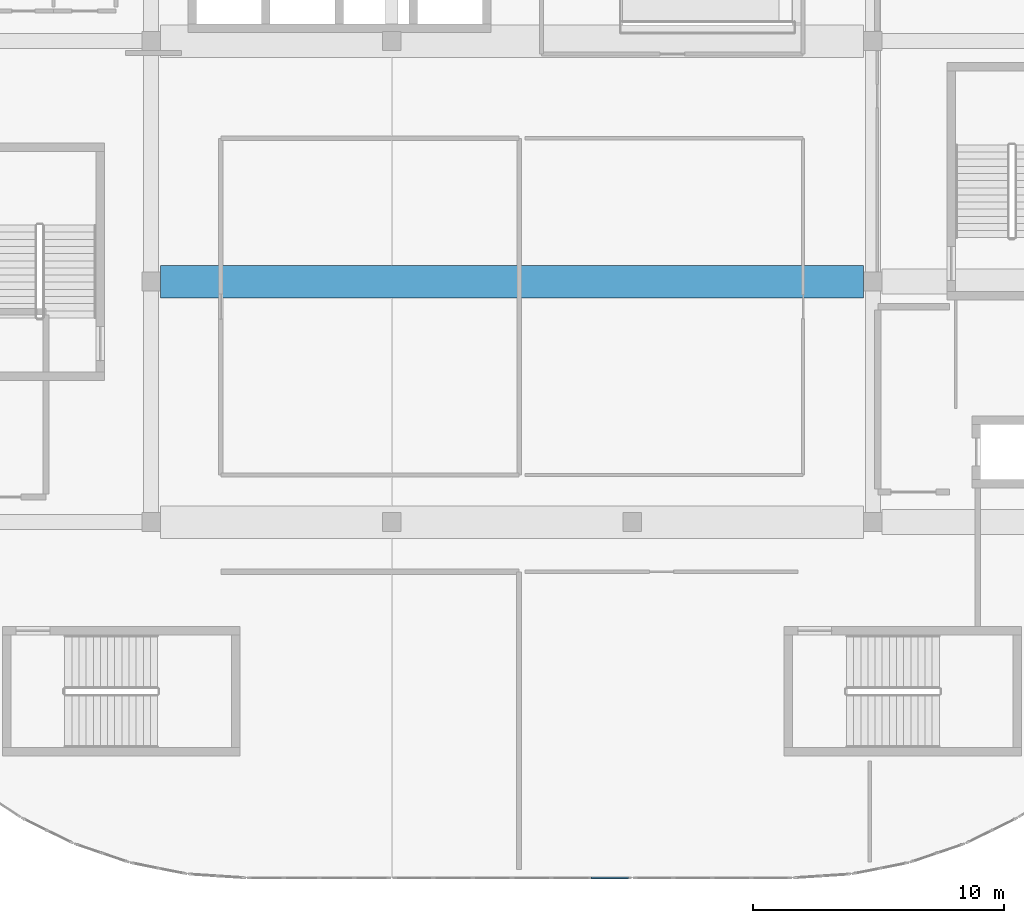
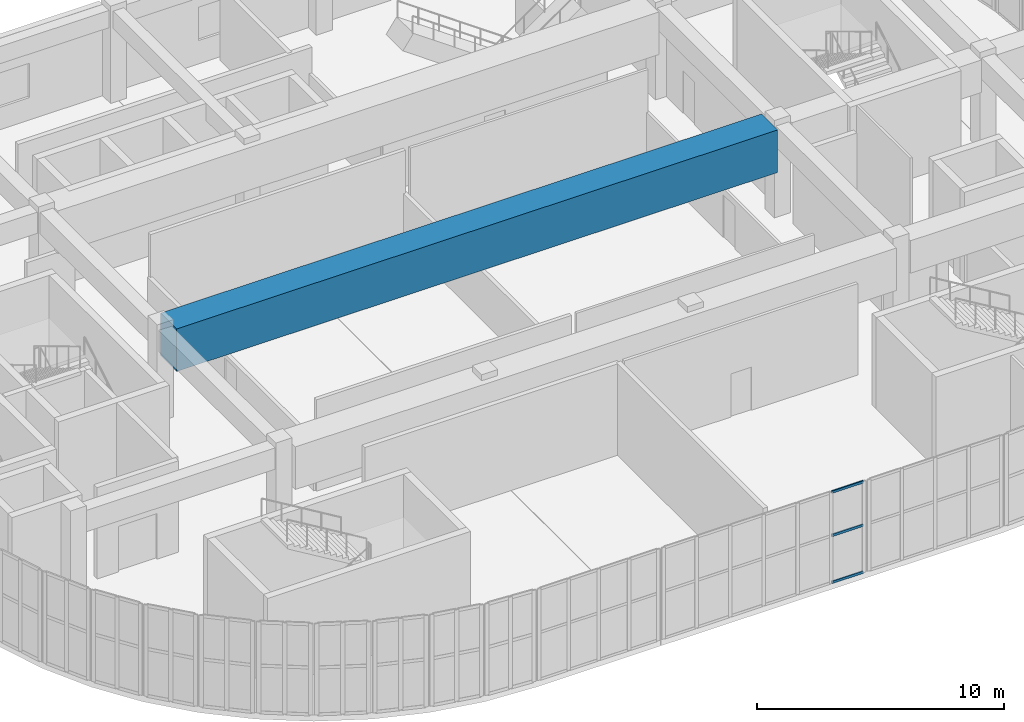
# One storey, part 6 of 28: 3 members, 1 beam, 1 element without a shape of its own.
"""IFC4 building model written with IfcOpenShell, lengths in metres."""

from ifc_helpers import new_model, si_unit, direction, frame, origin, origin_2d, place, context, subcontext, project, spatial, rectangle, extrude, material, layer, layer_set, material_profile, profile_set, type_object, element, aggregate, save


model = new_model("IFC4")

# Units and contexts
model_context = context("Model", 3, precision=1e-05, world=origin(), true_north=direction((0.0, 1.0)))
body_context = subcontext(model_context, "Body", "Model", "MODEL_VIEW")
ifc_project = project(units=[si_unit("LENGTHUNIT", "METRE"), si_unit("AREAUNIT", "SQUARE_METRE"), si_unit("VOLUMEUNIT", "CUBIC_METRE"), si_unit("PLANEANGLEUNIT", "RADIAN"), si_unit("MASSUNIT", "GRAM", prefix="KILO")], contexts=[model_context])

# Site, building, storey
site_placement = place(None, origin())
site = spatial("IfcSite", under=ifc_project, at=site_placement, CompositionType="ELEMENT")
building_placement = place(site_placement, origin())
building = spatial("IfcBuilding", under=site, at=building_placement, Name="Cendralis Terraced Arcade", CompositionType="ELEMENT")
storey_placement = place(building_placement, frame((0.0, 0.0, 24.60009765625)))
storey = spatial("IfcBuildingStorey", under=building, at=storey_placement, Name="L05", CompositionType="ELEMENT", Elevation=24.60009765625)

# Beam
ifc_material_1 = material(Name="Concrete f'c 42 MPa", Category="concrete")
ifc_material_profile_1 = material_profile(ifc_material_1, rectangle(XDim=1.300048828125, YDim=2.10009765625, at=origin_2d()), Name="RC-TG-1300x2100", Category="LoadBearing")
ifc_profile_set_1 = profile_set([ifc_material_profile_1], Name="Concrete f'c 42 MPa")
beam_type = type_object("IfcBeamType", Name="BM-TG-1300x2100", PredefinedType="USERDEFINED", material=ifc_profile_set_1)
beam_placement = place(storey_placement, frame((19.574951171875, 28.800048828125, 3.4599609375), z_axis=(1.0, 0.0, 0.0), x_axis=(0.0, 1.0, 0.0)))
element("IfcBeam", 1, at=beam_placement, inside=storey, type_object=beam_type, Name="Atrium Bridge Transfer Girder TG-ATR-L06-D", ObjectType="TRANSFER GIRDER", PredefinedType="USERDEFINED", context=body_context, shape_type="SweptSolid", body=[
    extrude(rectangle(XDim=1.300048828125, YDim=2.10009765625, at=origin_2d()), origin(), (0.0, 0.0, 1.0), 28.050048828125),
])

# Curtain wall, members
ifc_material_2 = material(Name="Anodised aluminium EN AW-6063 T6", Category="aluminium")
ifc_layer = layer(ifc_material_2, 0.159912109375, Name="CW-UNIT-B")
ifc_layer_set = layer_set([ifc_layer], Name="Anodised aluminium EN AW-6063 T6")
curtain_wall_type = type_object("IfcCurtainWallType", Name="CW-UNIT-B", PredefinedType="USERDEFINED", material=ifc_layer_set)
curtain_wall_placement = place(storey_placement, origin())
curtain_wall = element("IfcCurtainWall", 2, at=curtain_wall_placement, inside=storey, type_object=curtain_wall_type, Name="Exterior Unitised Facade CW-L05-0415", ObjectType="UNITISED FACADE", PredefinedType="USERDEFINED")
ifc_material_profile_2 = material_profile(ifc_material_2, rectangle(XDim=0.06005859375, YDim=0.1201171875, at=origin_2d()), Name="ALU-TRN-60x120")
ifc_profile_set_2 = profile_set([ifc_material_profile_2], Name="Anodised aluminium EN AW-6063 T6")
member_type = type_object("IfcMemberType", Name="CW-UNIT-B-TRN", PredefinedType="USERDEFINED", material=ifc_profile_set_2)
member_1_placement = place(storey_placement, frame((38.2451171875, 5.0, 0.02978515625), z_axis=(-1.0, 0.0, 0.0), x_axis=(0.0, -1.0, 0.0)))
member_1 = element("IfcMember", 3, at=member_1_placement, type_object=member_type, Name="CW-U2 transom 1.1", ObjectType="TRANSOM", PredefinedType="USERDEFINED", context=body_context, shape_type="SweptSolid", body=[
    extrude(rectangle(XDim=0.06005859375, YDim=0.1201171875, at=origin_2d()), origin(), (0.0, 0.0, 1.0), 1.47265625),
])
member_2_placement = place(storey_placement, frame((38.2451171875, 5.0, 2.34521484375), z_axis=(-1.0, 0.0, 0.0), x_axis=(0.0, -1.0, 0.0)))
member_2 = element("IfcMember", 4, at=member_2_placement, type_object=member_type, Name="CW-U2 transom 1.2", ObjectType="TRANSOM", PredefinedType="USERDEFINED", context=body_context, shape_type="SweptSolid", body=[
    extrude(rectangle(XDim=0.06005859375, YDim=0.1201171875, at=origin_2d()), origin(), (0.0, 0.0, 1.0), 1.47265625),
])
member_3_placement = place(storey_placement, frame((38.2451171875, 5.0, 4.47998046875), z_axis=(-1.0, 0.0, 0.0), x_axis=(0.0, -1.0, 0.0)))
member_3 = element("IfcMember", 5, at=member_3_placement, type_object=member_type, Name="CW-U2 transom 1.3", ObjectType="TRANSOM", PredefinedType="USERDEFINED", context=body_context, shape_type="SweptSolid", body=[
    extrude(rectangle(XDim=0.06005859375, YDim=0.1201171875, at=origin_2d()), origin(), (0.0, 0.0, 1.0), 1.47265625),
])
aggregate(curtain_wall, [member_1, member_2, member_3])

save(model, "model.ifc")
